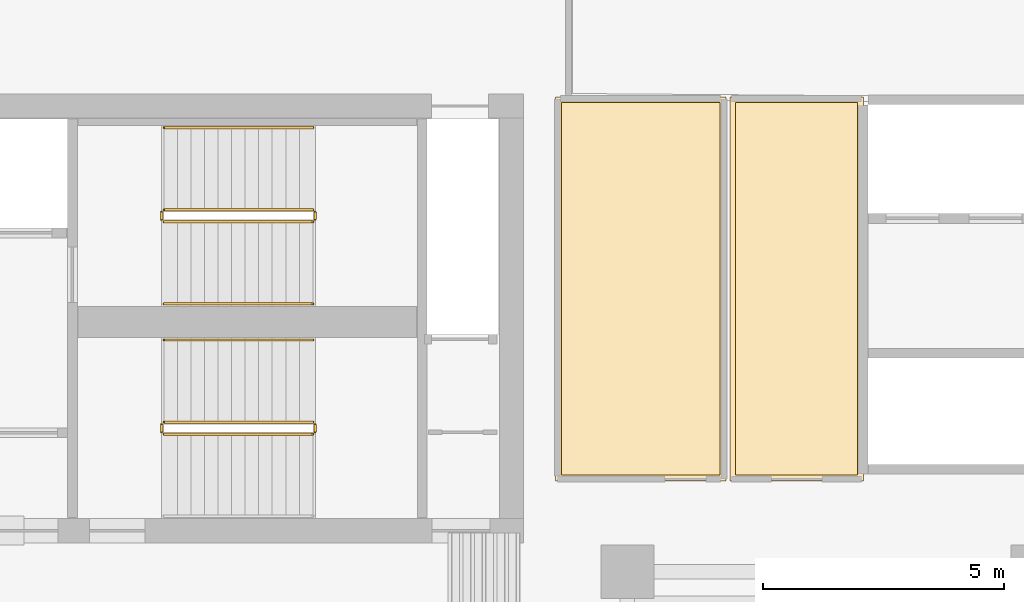
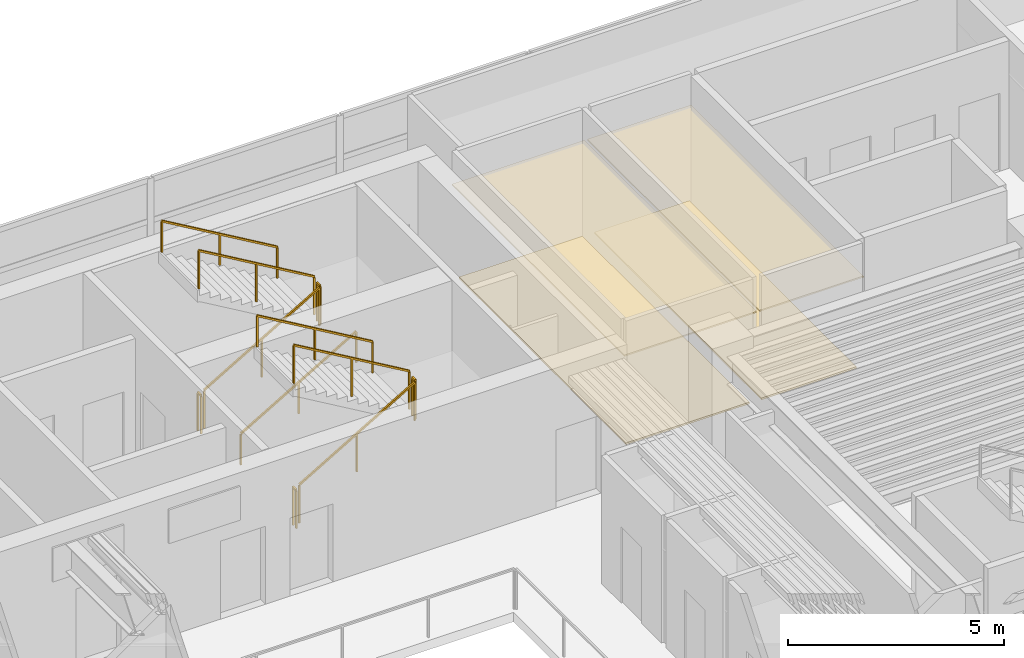
# One storey, part 13 of 14: 11 railings, 4 coverings.
"""IFC4 building model written with IfcOpenShell, lengths in metres."""

from ifc_helpers import new_model, si_unit, direction, frame, origin, origin_2d, place, context, subcontext, project, spatial, polyline, rectangle, outline, extrude, material, layer, layer_set, type_object, element, save


model = new_model("IFC4")

# Units and contexts
model_context = context("Model", 3, precision=1e-05, world=origin(), true_north=direction((0.0, 1.0)))
body_context = subcontext(model_context, "Body", "Model", "MODEL_VIEW")
ifc_project = project(units=[si_unit("LENGTHUNIT", "METRE"), si_unit("AREAUNIT", "SQUARE_METRE"), si_unit("VOLUMEUNIT", "CUBIC_METRE"), si_unit("PLANEANGLEUNIT", "RADIAN"), si_unit("MASSUNIT", "GRAM", prefix="KILO")], contexts=[model_context])

# Site, building, storey
site_placement = place(None, origin())
site = spatial("IfcSite", under=ifc_project, at=site_placement, CompositionType="ELEMENT")
building_placement = place(site_placement, origin())
building = spatial("IfcBuilding", under=site, at=building_placement, Name="Caeloran Harvest Quay", CompositionType="ELEMENT")
storey_placement = place(building_placement, frame((0.0, 0.0, 174.60009765625)))
storey = spatial("IfcBuildingStorey", under=building, at=storey_placement, Name="L41", CompositionType="ELEMENT", Elevation=174.60009765625)

# Coverings
ifc_material_1 = material(Name="Perforated Mineral-Fibre Acoustic Ceiling Tile", Category="ceiling")
ifc_layer_1 = layer(ifc_material_1, 0.0400390625, Name="Perforated Mineral-Fibre Acoustic Ceiling Tile")
ifc_layer_set_1 = layer_set([ifc_layer_1], Name="Perforated Mineral-Fibre Acoustic Ceiling Tile")
covering_type_1 = type_object("IfcCoveringType", Name="COV-CEILING-ACOUSTIC", PredefinedType="CEILING", material=ifc_layer_set_1)
covering_1_placement = place(storey_placement, frame((0.0, 0.0, 2.599853515625)))
element("IfcCovering", 1, at=covering_1_placement, inside=storey, type_object=covering_type_1, Name="L41 Bioinformatics Briefing Lounge Acoustic Ceiling", PredefinedType="CEILING", context=body_context, shape_type="SweptSolid", body=[
    extrude(outline(polyline([(27.5400390625, 40.840087890625), (27.5400390625, 32.8798828125), (24.010009765625, 32.8798828125), (24.010009765625, 40.840087890625), (27.5400390625, 40.840087890625)])), origin(), (0.0, 0.0, 1.0), 0.0400390625),
])
covering_2_placement = place(storey_placement, frame((0.0, 0.0, 2.599853515625)))
element("IfcCovering", 2, at=covering_2_placement, inside=storey, type_object=covering_type_1, Name="L41 Seed Imaging Laboratory Acoustic Ceiling", PredefinedType="CEILING", context=body_context, shape_type="SweptSolid", body=[
    extrude(outline(polyline([(30.389892578125, 40.840087890625), (30.389892578125, 32.8798828125), (27.6201171875, 32.8798828125), (27.6201171875, 40.840087890625), (30.389892578125, 40.840087890625)])), origin(), (0.0, 0.0, 1.0), 0.0400390625),
])
ifc_material_2 = material(Name="Calcium-Sulphate Raised Access Floor and Terrazzo Finish", Category="flooring")
ifc_layer_2 = layer(ifc_material_2, 0.050048828125, Name="Calcium-Sulphate Raised Access Floor and Terrazzo Finish")
ifc_layer_set_2 = layer_set([ifc_layer_2], Name="Calcium-Sulphate Raised Access Floor and Terrazzo Finish")
covering_type_2 = type_object("IfcCoveringType", Name="COV-FLOOR-RAISED", PredefinedType="FLOORING", material=ifc_layer_set_2)
covering_3_placement = place(storey_placement, origin())
element("IfcCovering", 3, at=covering_3_placement, inside=storey, type_object=covering_type_2, Name="L41 Bioinformatics Briefing Lounge Raised Finish Flooring", PredefinedType="FLOORING", context=body_context, shape_type="SweptSolid", body=[
    extrude(outline(polyline([(27.419921875, 40.719970703125), (27.419921875, 33.0), (24.1298828125, 33.0), (24.1298828125, 40.719970703125), (27.419921875, 40.719970703125)])), origin(), (0.0, 0.0, 1.0), 0.0498046875),
])
covering_4_placement = place(storey_placement, origin())
element("IfcCovering", 4, at=covering_4_placement, inside=storey, type_object=covering_type_2, Name="L41 Seed Imaging Laboratory Raised Finish Flooring", PredefinedType="FLOORING", context=body_context, shape_type="SweptSolid", body=[
    extrude(outline(polyline([(30.27001953125, 40.719970703125), (30.27001953125, 33.0), (27.739990234375, 33.0), (27.739990234375, 40.719970703125), (30.27001953125, 40.719970703125)])), origin(), (0.0, 0.0, 1.0), 0.0498046875),
])

# Railings
ifc_material_3 = material(Name="Painted Steel Baluster and Top-Rail Stair Guard", Category="steel")
ifc_layer_3 = layer(ifc_material_3, 0.050048828125, Name="Painted Steel Baluster and Top-Rail Stair Guard")
ifc_layer_set_3 = layer_set([ifc_layer_3], Name="Painted Steel Baluster and Top-Rail Stair Guard")
railing_type_1 = type_object("IfcRailingType", Name="STAIR-GUARD-1100", PredefinedType="GUARDRAIL", material=ifc_layer_set_3)
railing_1_placement = place(storey_placement, frame((15.89990234375, 38.25, 0.16455078125)))
element("IfcRailing", 5, at=railing_1_placement, inside=storey, type_object=railing_type_1, Name="L41 ST-C1 stair guard 1", PredefinedType="GUARDRAIL", context=body_context, shape_type="SweptSolid", body=[
    extrude(rectangle(XDim=0.048095703125, YDim=0.048095703125, at=origin_2d()), frame((0.0, 0.0, 1.076171875), z_axis=(0.862118610829, 0.0, 0.506706523406), x_axis=(0.0, 1.0, 0.0)), (0.0, 0.0, 1.0), 3.57275390625),
    extrude(rectangle(XDim=0.0419921875, YDim=0.0419921875, at=origin_2d()), origin(), (0.0, 0.0, 1.0), 1.052001953125),
    extrude(rectangle(XDim=0.0419921875, YDim=0.0419921875, at=origin_2d()), frame((1.5400390625, 0.0, 0.9052734375)), (0.0, 0.0, 1.0), 1.052001953125),
    extrude(rectangle(XDim=0.0419921875, YDim=0.0419921875, at=origin_2d()), frame((3.080078125, 0.0, 1.810302734375)), (0.0, 0.0, 1.0), 1.052001953125),
])
railing_2_placement = place(storey_placement, frame((19.030029296875, 38.300048828125, 1.974853515625)))
element("IfcRailing", 6, at=railing_2_placement, inside=storey, type_object=railing_type_1, Name="L41 ST-C1 stair guard 2", PredefinedType="GUARDRAIL", context=body_context, shape_type="SweptSolid", body=[
    extrude(rectangle(XDim=0.048095703125, YDim=0.048095703125, at=origin_2d()), frame((0.0, 0.0, 1.076171875), z_axis=(0.0, 1.0, 0.0), x_axis=(-1.0, 0.0, 0.0)), (0.0, 0.0, 1.0), 0.14990234375),
    extrude(rectangle(XDim=0.0419921875, YDim=0.0419921875, at=origin_2d()), origin(), (0.0, 0.0, 1.0), 1.052001953125),
    extrude(rectangle(XDim=0.0419921875, YDim=0.0419921875, at=origin_2d()), frame((0.0, 0.14990234375, 0.0)), (0.0, 0.0, 1.0), 1.052001953125),
])
railing_3_placement = place(storey_placement, frame((18.97998046875, 38.5, 2.139404296875)))
element("IfcRailing", 7, at=railing_3_placement, inside=storey, type_object=railing_type_1, Name="L41 ST-C1 stair guard 3", PredefinedType="GUARDRAIL", context=body_context, shape_type="SweptSolid", body=[
    extrude(rectangle(XDim=0.048095703125, YDim=0.048095703125, at=origin_2d()), frame((0.0, 0.0, 1.076171875), z_axis=(-0.862088758681, 0.0, 0.506757310905), x_axis=(0.0, -1.0, 0.0)), (0.0, 0.0, 1.0), 3.57275390625),
    extrude(rectangle(XDim=0.0419921875, YDim=0.0419921875, at=origin_2d()), origin(), (0.0, 0.0, 1.0), 1.052001953125),
    extrude(rectangle(XDim=0.0419921875, YDim=0.0419921875, at=origin_2d()), frame((-1.5400390625, 0.0, 0.9052734375)), (0.0, 0.0, 1.0), 1.052001953125),
    extrude(rectangle(XDim=0.0419921875, YDim=0.0419921875, at=origin_2d()), frame((-3.080078125, 0.0, 1.810546875)), (0.0, 0.0, 1.0), 1.052001953125),
])
railing_4_placement = place(storey_placement, frame((15.85009765625, 38.300048828125, 0.0)))
element("IfcRailing", 8, at=railing_4_placement, inside=storey, type_object=railing_type_1, Name="L41 ST-C1 stair guard 4", PredefinedType="GUARDRAIL", context=body_context, shape_type="SweptSolid", body=[
    extrude(rectangle(XDim=0.048095703125, YDim=0.048095703125, at=origin_2d()), frame((0.0, 0.0, 1.076171875), z_axis=(0.0, 1.0, 0.0), x_axis=(-1.0, 0.0, 0.0)), (0.0, 0.0, 1.0), 0.14990234375),
    extrude(rectangle(XDim=0.0419921875, YDim=0.0419921875, at=origin_2d()), origin(), (0.0, 0.0, 1.0), 1.052001953125),
    extrude(rectangle(XDim=0.0419921875, YDim=0.0419921875, at=origin_2d()), frame((0.0, 0.14990234375, 0.0)), (0.0, 0.0, 1.0), 1.052001953125),
])
railing_5_placement = place(storey_placement, frame((15.89990234375, 33.85009765625, 0.16455078125)))
element("IfcRailing", 9, at=railing_5_placement, inside=storey, type_object=railing_type_1, Name="L41 ST-C2 stair guard 1", PredefinedType="GUARDRAIL", context=body_context, shape_type="SweptSolid", body=[
    extrude(rectangle(XDim=0.048095703125, YDim=0.048095703125, at=origin_2d()), frame((0.0, 0.0, 1.076171875), z_axis=(0.862118610829, 0.0, 0.506706523406), x_axis=(0.0, 1.0, 0.0)), (0.0, 0.0, 1.0), 3.57275390625),
    extrude(rectangle(XDim=0.0419921875, YDim=0.0419921875, at=origin_2d()), origin(), (0.0, 0.0, 1.0), 1.052001953125),
    extrude(rectangle(XDim=0.0419921875, YDim=0.0419921875, at=origin_2d()), frame((1.5400390625, 0.0, 0.9052734375)), (0.0, 0.0, 1.0), 1.052001953125),
    extrude(rectangle(XDim=0.0419921875, YDim=0.0419921875, at=origin_2d()), frame((3.080078125, 0.0, 1.810302734375)), (0.0, 0.0, 1.0), 1.052001953125),
])
railing_6_placement = place(storey_placement, frame((19.030029296875, 33.89990234375, 1.974853515625)))
element("IfcRailing", 10, at=railing_6_placement, inside=storey, type_object=railing_type_1, Name="L41 ST-C2 stair guard 2", PredefinedType="GUARDRAIL", context=body_context, shape_type="SweptSolid", body=[
    extrude(rectangle(XDim=0.048095703125, YDim=0.048095703125, at=origin_2d()), frame((0.0, 0.0, 1.076171875), z_axis=(0.0, 1.0, 0.0), x_axis=(-1.0, 0.0, 0.0)), (0.0, 0.0, 1.0), 0.150146484375),
    extrude(rectangle(XDim=0.0419921875, YDim=0.0419921875, at=origin_2d()), origin(), (0.0, 0.0, 1.0), 1.052001953125),
    extrude(rectangle(XDim=0.0419921875, YDim=0.0419921875, at=origin_2d()), frame((0.0, 0.150146484375, 0.0)), (0.0, 0.0, 1.0), 1.052001953125),
])
railing_7_placement = place(storey_placement, frame((18.97998046875, 34.10009765625, 2.139404296875)))
element("IfcRailing", 11, at=railing_7_placement, inside=storey, type_object=railing_type_1, Name="L41 ST-C2 stair guard 3", PredefinedType="GUARDRAIL", context=body_context, shape_type="SweptSolid", body=[
    extrude(rectangle(XDim=0.048095703125, YDim=0.048095703125, at=origin_2d()), frame((0.0, 0.0, 1.076171875), z_axis=(-0.862088758681, 0.0, 0.506757310905), x_axis=(0.0, -1.0, 0.0)), (0.0, 0.0, 1.0), 3.57275390625),
    extrude(rectangle(XDim=0.0419921875, YDim=0.0419921875, at=origin_2d()), origin(), (0.0, 0.0, 1.0), 1.052001953125),
    extrude(rectangle(XDim=0.0419921875, YDim=0.0419921875, at=origin_2d()), frame((-1.5400390625, 0.0, 0.9052734375)), (0.0, 0.0, 1.0), 1.052001953125),
    extrude(rectangle(XDim=0.0419921875, YDim=0.0419921875, at=origin_2d()), frame((-3.080078125, 0.0, 1.810546875)), (0.0, 0.0, 1.0), 1.052001953125),
])
railing_8_placement = place(storey_placement, frame((15.85009765625, 33.89990234375, 0.0)))
element("IfcRailing", 12, at=railing_8_placement, inside=storey, type_object=railing_type_1, Name="L41 ST-C2 stair guard 4", PredefinedType="GUARDRAIL", context=body_context, shape_type="SweptSolid", body=[
    extrude(rectangle(XDim=0.048095703125, YDim=0.048095703125, at=origin_2d()), frame((0.0, 0.0, 1.076171875), z_axis=(0.0, 1.0, 0.0), x_axis=(-1.0, 0.0, 0.0)), (0.0, 0.0, 1.0), 0.150146484375),
    extrude(rectangle(XDim=0.0419921875, YDim=0.0419921875, at=origin_2d()), origin(), (0.0, 0.0, 1.0), 1.052001953125),
    extrude(rectangle(XDim=0.0419921875, YDim=0.0419921875, at=origin_2d()), frame((0.0, 0.150146484375, 0.0)), (0.0, 0.0, 1.0), 1.052001953125),
])
ifc_material_4 = material(Name="Brushed Stainless Steel Grade 304", Category="steel")
ifc_layer_4 = layer(ifc_material_4, 0.050048828125, Name="Brushed Stainless Steel Grade 304")
ifc_layer_set_4 = layer_set([ifc_layer_4], Name="Brushed Stainless Steel Grade 304")
railing_type_2 = type_object("IfcRailingType", Name="STAIR-HANDRAIL-900", PredefinedType="HANDRAIL", material=ifc_layer_set_4)
railing_9_placement = place(storey_placement, frame((15.89990234375, 36.550048828125, 0.16455078125)))
element("IfcRailing", 13, at=railing_9_placement, inside=storey, type_object=railing_type_2, Name="L41 ST-C1 stair handrail 1", PredefinedType="HANDRAIL", context=body_context, shape_type="SweptSolid", body=[
    extrude(rectangle(XDim=0.048095703125, YDim=0.048095703125, at=origin_2d()), frame((0.0, 0.0, 0.8759765625), z_axis=(0.862118610829, 0.0, 0.506706523406), x_axis=(0.0, 1.0, 0.0)), (0.0, 0.0, 1.0), 3.57275390625),
    extrude(rectangle(XDim=0.0419921875, YDim=0.0419921875, at=origin_2d()), origin(), (0.0, 0.0, 1.0), 0.851806640625),
    extrude(rectangle(XDim=0.0419921875, YDim=0.0419921875, at=origin_2d()), frame((1.5400390625, 0.0, 0.9052734375)), (0.0, 0.0, 1.0), 0.851806640625),
    extrude(rectangle(XDim=0.0419921875, YDim=0.0419921875, at=origin_2d()), frame((3.080078125, 0.0, 1.810302734375)), (0.0, 0.0, 1.0), 0.851806640625),
])
for number, where, name in (
    (14, (18.97998046875, 40.199951171875, 2.139404296875), "L41 ST-C1 stair handrail 2"),
    (15, (18.97998046875, 35.800048828125, 2.139404296875), "L41 ST-C2 stair handrail 2"),
):
    element("IfcRailing", number, at=place(storey_placement, frame(where)), inside=storey, type_object=railing_type_2, Name=name, PredefinedType="HANDRAIL", context=body_context, shape_type="SweptSolid", body=[
        extrude(rectangle(XDim=0.048095703125, YDim=0.048095703125, at=origin_2d()), frame((0.0, 0.0, 0.8759765625), z_axis=(-0.862088758681, 0.0, 0.506757310905), x_axis=(0.0, -1.0, 0.0)), (0.0, 0.0, 1.0), 3.57275390625),
        extrude(rectangle(XDim=0.0419921875, YDim=0.0419921875, at=origin_2d()), origin(), (0.0, 0.0, 1.0), 0.851806640625),
        extrude(rectangle(XDim=0.0419921875, YDim=0.0419921875, at=origin_2d()), frame((-1.5400390625, 0.0, 0.9052734375)), (0.0, 0.0, 1.0), 0.851806640625),
        extrude(rectangle(XDim=0.0419921875, YDim=0.0419921875, at=origin_2d()), frame((-3.080078125, 0.0, 1.810546875)), (0.0, 0.0, 1.0), 0.851806640625),
    ])

save(model, "model.ifc")
